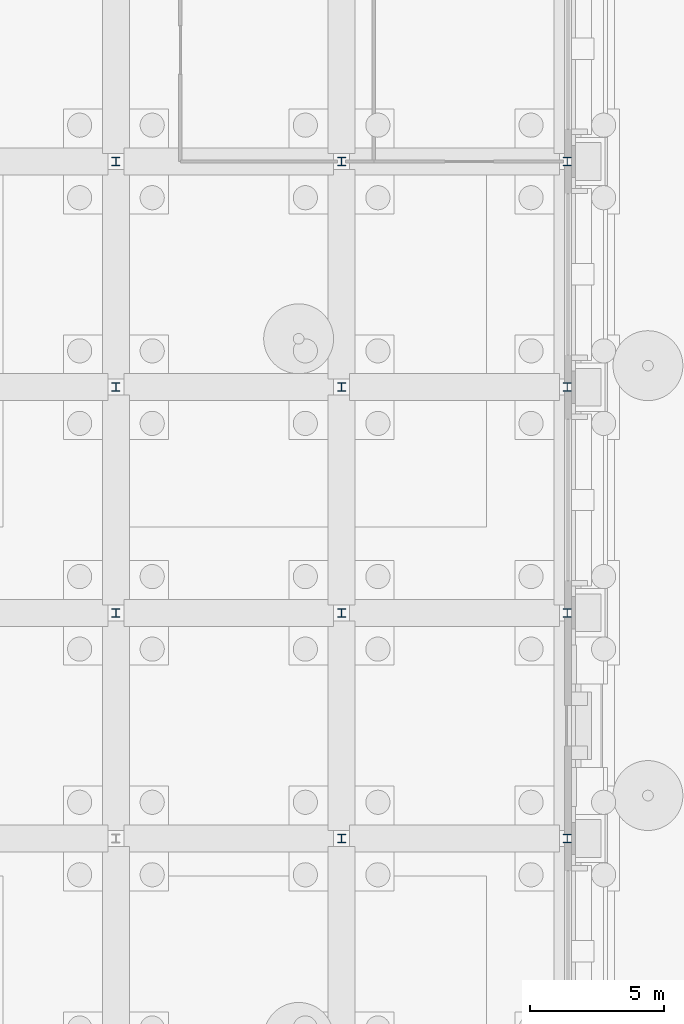
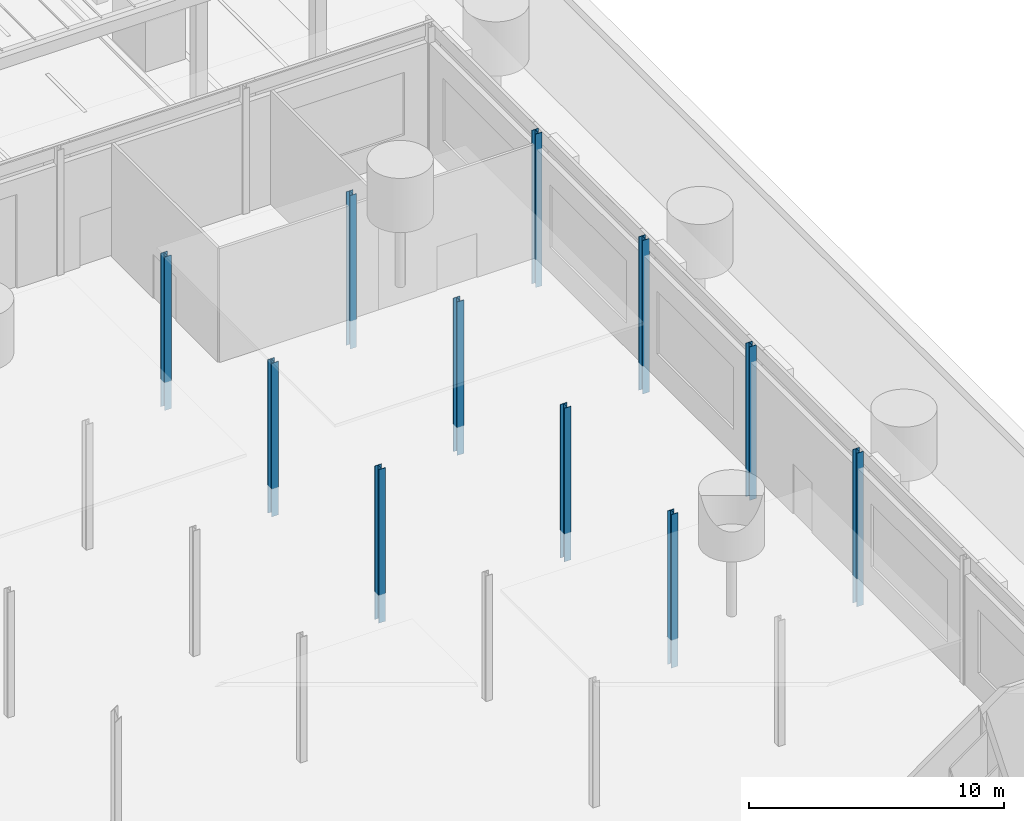
# One storey, part 30 of 222: 11 columns.
"""IFC4 building model written with IfcOpenShell, lengths in metres."""

from ifc_helpers import new_model, si_unit, direction, frame, origin, origin_2d, place, context, subcontext, project, spatial, i_section, extrude, material, material_profile, profile_set, type_object, element, save


model = new_model("IFC4")

# Units and contexts
model_context = context("Model", 3, precision=1e-05, world=origin(), true_north=direction((0.0, 1.0)))
body_context = subcontext(model_context, "Body", "Model", "MODEL_VIEW")
ifc_project = project(units=[si_unit("LENGTHUNIT", "METRE"), si_unit("AREAUNIT", "SQUARE_METRE"), si_unit("VOLUMEUNIT", "CUBIC_METRE"), si_unit("PLANEANGLEUNIT", "RADIAN"), si_unit("MASSUNIT", "GRAM", prefix="KILO")], contexts=[model_context])

# Site, building, storey
site_placement = place(None, origin())
site = spatial("IfcSite", under=ifc_project, at=site_placement, CompositionType="ELEMENT")
building_placement = place(site_placement, origin())
building = spatial("IfcBuilding", under=site, at=building_placement, Name="Sava Quay Ferry Terminal", CompositionType="ELEMENT")
storey_placement = place(building_placement, origin())
storey = spatial("IfcBuildingStorey", under=building, at=storey_placement, Name="L00", CompositionType="ELEMENT", Elevation=0.0)

# Columns
ifc_material = material(Name="Steel S355", Category="steel")
ifc_material_profile = material_profile(ifc_material, i_section(OverallWidth=0.300048828125, OverallDepth=0.320068359375, WebThickness=0.011474609375, FlangeThickness=0.0205078125, at=origin_2d()), Name="HE 320 B")
ifc_profile_set = profile_set([ifc_material_profile], Name="Steel S355")
column_type = type_object("IfcColumnType", Name="Column HE 320 B", PredefinedType="COLUMN", material=ifc_profile_set)
for number, where, z_axis, x_axis, name in (
    (1, (151.199951171875, 58.800048828125, -1.35009765625), (0.0, 0.0, 1.0), (1.0, 0.0, 0.0), "Column L00 151.2/58.8"),
    (2, (151.199951171875, 67.199951171875, -1.35009765625), (0.0, 0.0, 1.0), (1.0, 0.0, 0.0), "Column L00 151.2/67.2"),
    (3, (151.199951171875, 75.60009765625, -1.35009765625), (0.0, 0.0, 1.0), (1.0, 0.0, 0.0), "Column L00 151.2/75.6"),
    (4, (159.60009765625, 50.39990234375, -1.35009765625), (0.0, 0.0, 1.0), (1.0, 0.0, 0.0), "Column L00 159.6/50.4"),
    (5, (159.60009765625, 58.800048828125, -1.35009765625), (0.0, 0.0, 1.0), (1.0, 0.0, 0.0), "Column L00 159.6/58.8"),
    (6, (159.60009765625, 67.199951171875, -1.35009765625), (0.0, 0.0, 1.0), (1.0, 0.0, 0.0), "Column L00 159.6/67.2"),
    (7, (159.60009765625, 75.60009765625, -1.35009765625), (0.0, 0.0, 1.0), (1.0, 0.0, 0.0), "Column L00 159.6/75.6"),
    (8, (168.0, 50.39990234375, -1.35009765625), (0.0, 0.0, 1.0), (1.0, 0.0, 0.0), "Column L00 168/50.4"),
    (9, (168.0, 58.800048828125, -1.35009765625), (0.0, 0.0, 1.0), (1.0, 0.0, 0.0), "Column L00 168/58.8"),
    (10, (168.0, 67.199951171875, -1.35009765625), (0.0, 0.0, 1.0), (1.0, 0.0, 0.0), "Column L00 168/67.2"),
    (11, (168.0, 75.60009765625, -1.35009765625), (0.0, 0.0, 1.0), (1.0, 0.0, 0.0), "Column L00 168/75.6"),
):
    element("IfcColumn", number, at=place(storey_placement, frame(where, z_axis=z_axis, x_axis=x_axis)), inside=storey, type_object=column_type, Name=name, PredefinedType="COLUMN", context=body_context, shape_type="SweptSolid", body=[
        extrude(i_section(OverallWidth=0.300048828125, OverallDepth=0.320068359375, WebThickness=0.011474609375, FlangeThickness=0.0205078125, at=origin_2d()), origin(), (0.0, 0.0, 1.0), 7.35009765625),
    ])

save(model, "model.ifc")
